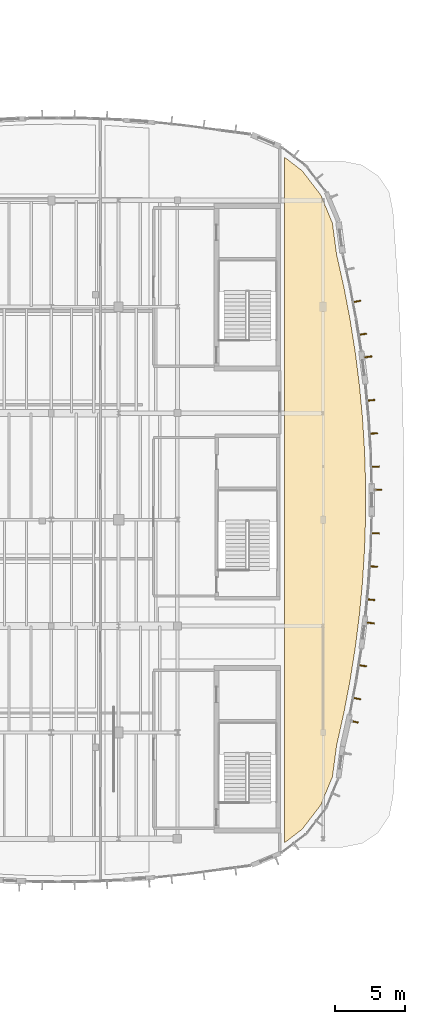
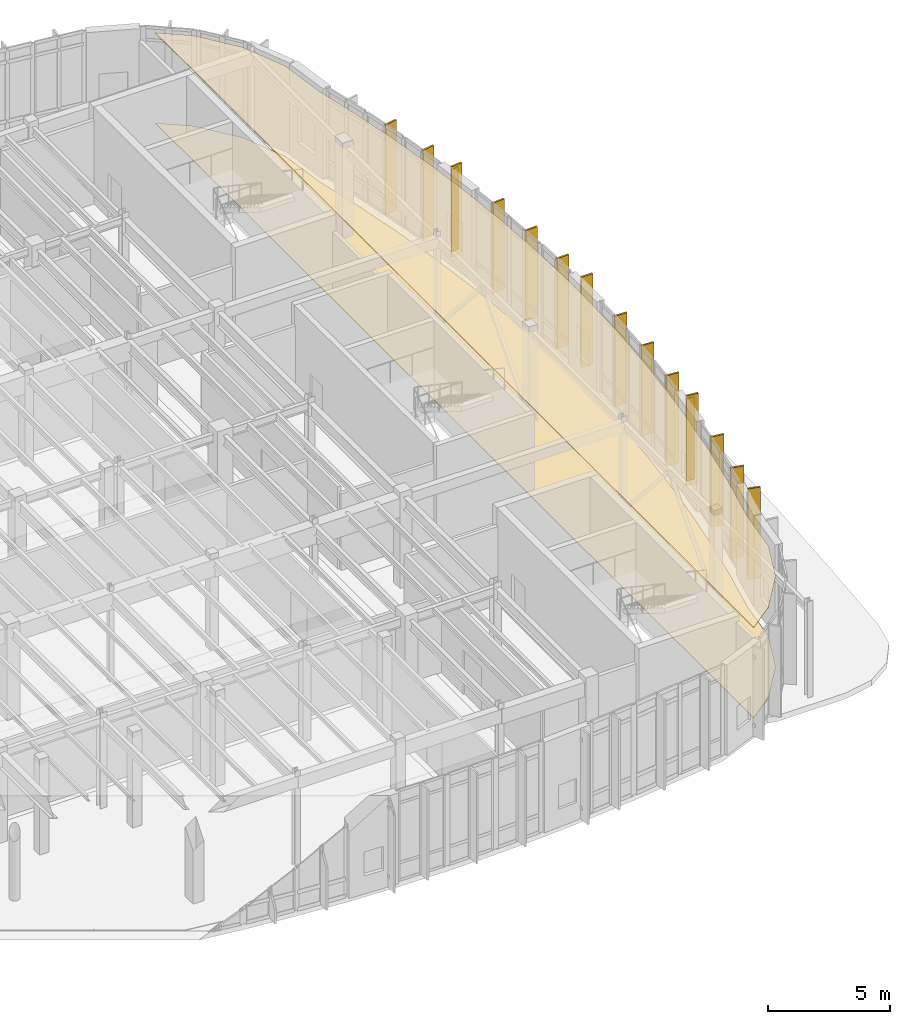
# One storey, part 117 of 120: 16 coverings, 4 shading devices.
"""IFC4 building model written with IfcOpenShell, lengths in metres."""

from ifc_helpers import new_model, si_unit, direction, frame, origin, origin_2d, place, context, subcontext, project, spatial, polyline, rectangle, outline, extrude, material, layer, layer_set, type_object, element, save


model = new_model("IFC4")

# Units and contexts
model_context = context("Model", 3, precision=1e-05, world=origin(), true_north=direction((0.0, 1.0)))
body_context = subcontext(model_context, "Body", "Model", "MODEL_VIEW")
ifc_project = project(units=[si_unit("LENGTHUNIT", "METRE"), si_unit("AREAUNIT", "SQUARE_METRE"), si_unit("VOLUMEUNIT", "CUBIC_METRE"), si_unit("PLANEANGLEUNIT", "RADIAN"), si_unit("MASSUNIT", "GRAM", prefix="KILO")], contexts=[model_context])

# Site, building, storey
site_placement = place(None, origin())
site = spatial("IfcSite", under=ifc_project, at=site_placement, CompositionType="ELEMENT")
building_placement = place(site_placement, origin())
building = spatial("IfcBuilding", under=site, at=building_placement, Name="Corveleigh Park Community Centre", CompositionType="ELEMENT")
storey_placement = place(building_placement, origin())
storey = spatial("IfcBuildingStorey", under=building, at=storey_placement, Name="L00", CompositionType="ELEMENT", Elevation=0.0)

# Coverings
ifc_material_1 = material(Name="Warm buff ribbed architectural cladding", Category="masonry")
ifc_layer_1 = layer(ifc_material_1, 0.0849609375, Name="Warm buff ribbed architectural cladding", Category="masonry")
ifc_layer_set_1 = layer_set([ifc_layer_1], Name="Warm buff ribbed architectural cladding")
covering_type_1 = type_object("IfcCoveringType", Name="COV-CLD-BUF", PredefinedType="CLADDING", material=ifc_layer_set_1)
covering_1_placement = place(storey_placement, origin())
element("IfcCovering", 1, at=covering_1_placement, inside=storey, type_object=covering_type_1, Name="V4 L00 Brise-soleil blade 110", PredefinedType="CLADDING", context=body_context, shape_type="SweptSolid", body=[
    extrude(outline(polyline([(170.387939453125, 67.068115234375), (170.368896484375, 66.985107421875), (170.89111328125, 66.867919921875), (170.909912109375, 66.950927734375), (170.387939453125, 67.068115234375)])), origin(), (0.0, 0.0, 1.0), 4.527099609375),
])
covering_2_placement = place(storey_placement, origin())
element("IfcCovering", 2, at=covering_2_placement, inside=storey, type_object=covering_type_1, Name="V4 L00 Brise-soleil blade 111", PredefinedType="CLADDING", context=body_context, shape_type="SweptSolid", body=[
    extrude(outline(polyline([(170.528076171875, 68.719970703125), (170.511962890625, 68.636962890625), (171.08203125, 68.528076171875), (171.097900390625, 68.611083984375), (170.528076171875, 68.719970703125)])), origin(), (0.0, 0.0, 1.0), 4.511962890625),
])
covering_3_placement = place(storey_placement, origin())
element("IfcCovering", 3, at=covering_3_placement, inside=storey, type_object=covering_type_1, Name="V4 L00 Brise-soleil blade 112", PredefinedType="CLADDING", context=body_context, shape_type="SweptSolid", body=[
    extrude(outline(polyline([(170.93408203125, 71.052978515625), (170.9208984375, 70.968994140625), (171.493896484375, 70.8779296875), (171.507080078125, 70.9619140625), (170.93408203125, 71.052978515625)])), origin(), (0.0, 0.0, 1.0), 4.511962890625),
])
covering_4_placement = place(storey_placement, origin())
element("IfcCovering", 4, at=covering_4_placement, inside=storey, type_object=covering_type_1, Name="V4 L00 Brise-soleil blade 113", PredefinedType="CLADDING", context=body_context, shape_type="SweptSolid", body=[
    extrude(outline(polyline([(171.531982421875, 74.093994140625), (171.52197265625, 74.010009765625), (172.052001953125, 73.943115234375), (172.06298828125, 74.027099609375), (171.531982421875, 74.093994140625)])), origin(), (0.0, 0.0, 1.0), 4.511962890625),
])
covering_5_placement = place(storey_placement, origin())
element("IfcCovering", 5, at=covering_5_placement, inside=storey, type_object=covering_type_1, Name="V4 L00 Brise-soleil blade 114", PredefinedType="CLADDING", context=body_context, shape_type="SweptSolid", body=[
    extrude(outline(polyline([(171.527099609375, 75.75), (171.51904296875, 75.666015625), (172.095947265625, 75.611083984375), (172.10400390625, 75.696044921875), (171.527099609375, 75.75)])), origin(), (0.0, 0.0, 1.0), 4.511962890625),
])
covering_6_placement = place(storey_placement, origin())
element("IfcCovering", 6, at=covering_6_placement, inside=storey, type_object=covering_type_1, Name="V4 L00 Brise-soleil blade 115", PredefinedType="CLADDING", context=body_context, shape_type="SweptSolid", body=[
    extrude(outline(polyline([(171.7109375, 78.110107421875), (171.7060546875, 78.02490234375), (172.284912109375, 77.989013671875), (172.2900390625, 78.073974609375), (171.7109375, 78.110107421875)])), origin(), (0.0, 0.0, 1.0), 4.511962890625),
])
covering_7_placement = place(storey_placement, origin())
element("IfcCovering", 7, at=covering_7_placement, inside=storey, type_object=covering_type_1, Name="V4 L00 Brise-soleil blade 116", PredefinedType="CLADDING", context=body_context, shape_type="SweptSolid", body=[
    extrude(outline(polyline([(171.822021484375, 80.47509765625), (171.819091796875, 80.389892578125), (172.39892578125, 80.3720703125), (172.402099609375, 80.45703125), (171.822021484375, 80.47509765625)])), origin(), (0.0, 0.0, 1.0), 4.511962890625),
])
covering_8_placement = place(storey_placement, origin())
element("IfcCovering", 8, at=covering_8_placement, inside=storey, type_object=covering_type_1, Name="V4 L00 Brise-soleil blade 117", PredefinedType="CLADDING", context=body_context, shape_type="SweptSolid", body=[
    extrude(outline(polyline([(172.04296875, 83.56689453125), (172.04296875, 83.48193359375), (172.577880859375, 83.48193359375), (172.577880859375, 83.56689453125), (172.04296875, 83.56689453125)])), origin(), (0.0, 0.0, 1.0), 4.511962890625),
])
covering_9_placement = place(storey_placement, origin())
element("IfcCovering", 9, at=covering_9_placement, inside=storey, type_object=covering_type_1, Name="V4 L00 Brise-soleil blade 118", PredefinedType="CLADDING", context=body_context, shape_type="SweptSolid", body=[
    extrude(outline(polyline([(171.819091796875, 85.2099609375), (171.822021484375, 85.125), (172.402099609375, 85.14306640625), (172.39892578125, 85.22802734375), (171.819091796875, 85.2099609375)])), origin(), (0.0, 0.0, 1.0), 4.511962890625),
])
covering_10_placement = place(storey_placement, origin())
element("IfcCovering", 10, at=covering_10_placement, inside=storey, type_object=covering_type_1, Name="V4 L00 Brise-soleil blade 119", PredefinedType="CLADDING", context=body_context, shape_type="SweptSolid", body=[
    extrude(outline(polyline([(171.7060546875, 87.574951171875), (171.7109375, 87.489990234375), (172.2900390625, 87.52587890625), (172.284912109375, 87.611083984375), (171.7060546875, 87.574951171875)])), origin(), (0.0, 0.0, 1.0), 4.511962890625),
])
covering_11_placement = place(storey_placement, origin())
element("IfcCovering", 11, at=covering_11_placement, inside=storey, type_object=covering_type_1, Name="V4 L00 Brise-soleil blade 120", PredefinedType="CLADDING", context=body_context, shape_type="SweptSolid", body=[
    extrude(outline(polyline([(171.51904296875, 89.93408203125), (171.527099609375, 89.85009765625), (172.10400390625, 89.904052734375), (172.095947265625, 89.989013671875), (171.51904296875, 89.93408203125)])), origin(), (0.0, 0.0, 1.0), 4.511962890625),
])
covering_12_placement = place(storey_placement, origin())
element("IfcCovering", 12, at=covering_12_placement, inside=storey, type_object=covering_type_1, Name="V4 L00 Brise-soleil blade 121", PredefinedType="CLADDING", context=body_context, shape_type="SweptSolid", body=[
    extrude(outline(polyline([(171.35888671875, 93.031982421875), (171.3701171875, 92.947998046875), (171.89990234375, 93.014892578125), (171.889892578125, 93.09912109375), (171.35888671875, 93.031982421875)])), origin(), (0.0, 0.0, 1.0), 4.511962890625),
])
covering_13_placement = place(storey_placement, origin())
element("IfcCovering", 13, at=covering_13_placement, inside=storey, type_object=covering_type_1, Name="V4 L00 Brise-soleil blade 122", PredefinedType="CLADDING", context=body_context, shape_type="SweptSolid", body=[
    extrude(outline(polyline([(170.9208984375, 94.631103515625), (170.93408203125, 94.547119140625), (171.507080078125, 94.637939453125), (171.493896484375, 94.721923828125), (170.9208984375, 94.631103515625)])), origin(), (0.0, 0.0, 1.0), 4.511962890625),
])
covering_14_placement = place(storey_placement, origin())
element("IfcCovering", 14, at=covering_14_placement, inside=storey, type_object=covering_type_1, Name="V4 L00 Brise-soleil blade 123", PredefinedType="CLADDING", context=body_context, shape_type="SweptSolid", body=[
    extrude(outline(polyline([(170.511962890625, 96.962890625), (170.528076171875, 96.8798828125), (171.097900390625, 96.989013671875), (171.08203125, 97.072021484375), (170.511962890625, 96.962890625)])), origin(), (0.0, 0.0, 1.0), 4.511962890625),
])
ifc_material_2 = material(Name="Perforated acoustic suspended ceiling", Category="gypsum")
ifc_layer_2 = layer(ifc_material_2, 0.0400390625, Name="Perforated acoustic suspended ceiling", Category="gypsum")
ifc_layer_set_2 = layer_set([ifc_layer_2], Name="Perforated acoustic suspended ceiling")
covering_type_2 = type_object("IfcCoveringType", Name="COV-CLG-ACU", PredefinedType="CEILING", material=ifc_layer_set_2)
covering_15_placement = place(storey_placement, frame((0.0, 0.0, 4.4951171875)))
element("IfcCovering", 15, at=covering_15_placement, inside=storey, type_object=covering_type_2, Name="Parkside Civic Exhibition Gallery acoustic ceiling", PredefinedType="CEILING", context=body_context, shape_type="SweptSolid", body=[
    extrude(outline(polyline([(165.639892578125, 58.318115234375), (165.659912109375, 104.02001953125), (165.639892578125, 107.281982421875), (166.908935546875, 106.30908203125), (168.237060546875, 104.577880859375), (169.071044921875, 102.56298828125), (169.364990234375, 100.33203125), (169.886962890625, 98.0), (170.3291015625, 95.68603515625), (170.697021484375, 93.361083984375), (170.993896484375, 91.02490234375), (171.215087890625, 88.679931640625), (171.363037109375, 86.3310546875), (171.43798828125, 83.97705078125), (171.43798828125, 81.623046875), (171.363037109375, 79.26904296875), (171.215087890625, 76.919921875), (170.993896484375, 74.574951171875), (170.697021484375, 72.239013671875), (170.3291015625, 69.9140625), (169.886962890625, 67.60009765625), (169.368896484375, 65.285888671875), (169.071044921875, 63.037109375), (168.237060546875, 61.02197265625), (166.908935546875, 59.291015625), (165.639892578125, 58.318115234375)])), origin(), (0.0, 0.0, 1.0), 0.039794921875),
])
ifc_material_3 = material(Name="Acoustic linoleum flooring", Category="wood")
ifc_layer_3 = layer(ifc_material_3, 0.02490234375, Name="Acoustic linoleum flooring", Category="wood")
ifc_layer_set_3 = layer_set([ifc_layer_3], Name="Acoustic linoleum flooring")
covering_type_3 = type_object("IfcCoveringType", Name="COV-FLR-LIN", PredefinedType="FLOORING", material=ifc_layer_set_3)
covering_16_placement = place(storey_placement, origin())
element("IfcCovering", 16, at=covering_16_placement, inside=storey, type_object=covering_type_3, Name="Parkside Civic Exhibition Gallery flooring", PredefinedType="FLOORING", context=body_context, shape_type="SweptSolid", body=[
    extrude(outline(polyline([(165.639892578125, 58.318115234375), (165.659912109375, 104.02001953125), (165.639892578125, 107.281982421875), (166.908935546875, 106.30908203125), (168.237060546875, 104.577880859375), (169.071044921875, 102.56298828125), (169.364990234375, 100.33203125), (169.886962890625, 98.0), (170.3291015625, 95.68603515625), (170.697021484375, 93.361083984375), (170.993896484375, 91.02490234375), (171.215087890625, 88.679931640625), (171.363037109375, 86.3310546875), (171.43798828125, 83.97705078125), (171.43798828125, 81.623046875), (171.363037109375, 79.26904296875), (171.215087890625, 76.919921875), (170.993896484375, 74.574951171875), (170.697021484375, 72.239013671875), (170.3291015625, 69.9140625), (169.886962890625, 67.60009765625), (169.368896484375, 65.285888671875), (169.071044921875, 63.037109375), (168.237060546875, 61.02197265625), (166.908935546875, 59.291015625), (165.639892578125, 58.318115234375)])), origin(), (0.0, 0.0, 1.0), 0.02490234375),
])

# Shading devices
ifc_material_4 = material(Name="Terracotta-anodised aluminium fin", Category="masonry")
shading_device_type_1 = type_object("IfcShadingDeviceType", Name="SHD-FIN-TER-350", PredefinedType="USERDEFINED", material=ifc_material_4)
for number, where, z_axis, x_axis, name in (
    (17, (171.716064453125, 74.028076171875, 0.25), (0.0, 0.0, 1.0), (0.992040478554, -0.125919374639, 0.0), "Terracotta brise-soleil fin 21"),
    (18, (171.552978515625, 93.013916015625, 0.25), (0.0, 0.0, 1.0), (0.992040478554, 0.125919374639, 0.0), "Terracotta brise-soleil fin 23"),
):
    element("IfcShadingDevice", number, at=place(storey_placement, frame(where, z_axis=z_axis, x_axis=x_axis)), inside=storey, type_object=shading_device_type_1, Name=name, ObjectType="FIN", PredefinedType="USERDEFINED", context=body_context, shape_type="SweptSolid", body=[
        extrude(rectangle(XDim=0.35009765625, YDim=0.06005859375, at=origin_2d()), origin(), (0.0, 0.0, 1.0), 4.112060546875),
    ])
shading_device_type_2 = type_object("IfcShadingDeviceType", Name="SHD-FIN-TER-450", PredefinedType="USERDEFINED", material=ifc_material_4)
shading_device_1_placement = place(storey_placement, frame((170.56396484375, 66.985107421875, 0.25), z_axis=(0.0, 0.0, 1.0), x_axis=(0.975753455878, -0.218872550452, 0.0)))
element("IfcShadingDevice", 19, at=shading_device_1_placement, inside=storey, type_object=shading_device_type_2, Name="Terracotta brise-soleil fin 20", ObjectType="FIN", PredefinedType="USERDEFINED", context=body_context, shape_type="SweptSolid", body=[
    extrude(rectangle(XDim=0.449951171875, YDim=0.06494140625, at=origin_2d()), origin(), (0.0, 0.0, 1.0), 4.126953125),
])
shading_device_2_placement = place(storey_placement, frame((172.23291015625, 83.52490234375, 0.25), z_axis=(0.0, 0.0, 1.0), x_axis=(1.0, 0.0, 0.0)))
element("IfcShadingDevice", 20, at=shading_device_2_placement, inside=storey, type_object=shading_device_type_2, Name="Terracotta brise-soleil fin 22", ObjectType="FIN", PredefinedType="USERDEFINED", context=body_context, shape_type="SweptSolid", body=[
    extrude(rectangle(XDim=0.449951171875, YDim=0.06494140625, at=origin_2d()), origin(), (0.0, 0.0, 1.0), 4.112060546875),
])

save(model, "model.ifc")
